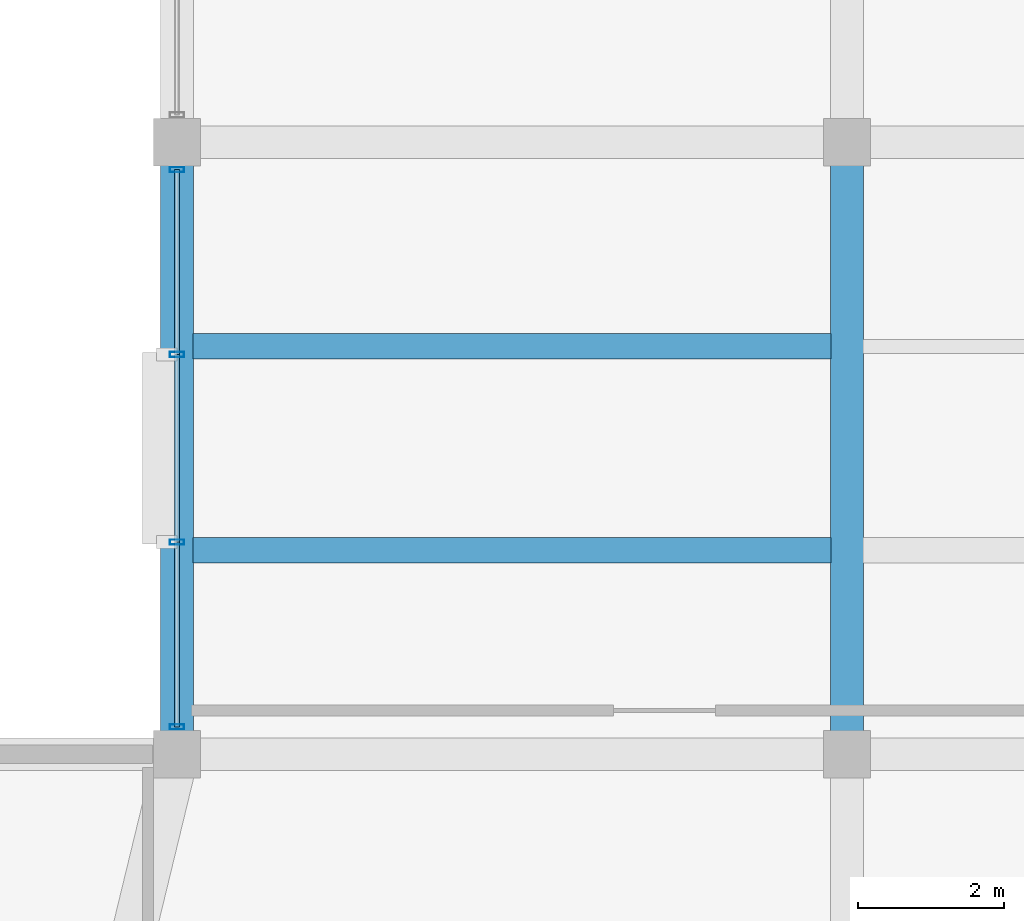
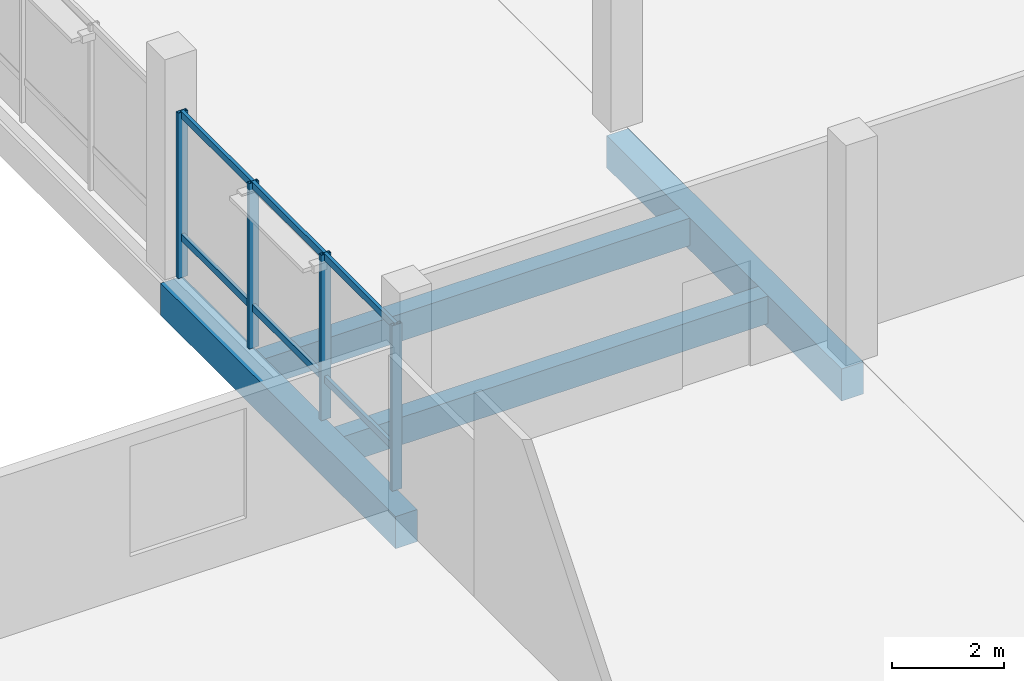
# One storey, part 36 of 71: 10 members, 4 beams, 1 element without a shape of its own.
"""IFC4 building model written with IfcOpenShell, lengths in metres."""

import ifcopenshell
import ifcopenshell.guid

model = None  # the IFC model being written
_history = None  # IfcOwnerHistory: only IFC2X3 demands one
_inside = {}  # id of a spatial element -> (the spatial element, [elements in it])
_under = {}  # id of a project, library or spatial element -> (it, [spatial elements below it])
_declared = {}  # id of a project -> (the project, [libraries it declares])
_typed = {}  # id of a type object -> (the type object, [elements of that type])
_made_of = {}  # id of a material, layer set ... -> (it, [elements and type objects made of it])


def new_model(schema):
    """Start an empty IFC model of exactly this schema.

    Asked for "IFC4X3", IfcOpenShell would pick the latest addendum, in which some entities
    have other attributes; the version numbers below select the first issue.
    IFC2X3 requires an IfcOwnerHistory on every rooted entity: one is made here for all.
    """
    global model, _history
    if schema == "IFC4X3":
        model = ifcopenshell.file(schema_version=(4, 3, 0, 0))
    else:
        model = ifcopenshell.file(schema=schema)
    _inside.clear()
    _under.clear()
    _declared.clear()
    _typed.clear()
    _made_of.clear()
    _history = None
    if model.schema == "IFC2X3":
        org = make("IfcOrganization", Name="unknown")
        user = make(
            "IfcPersonAndOrganization",
            ThePerson=make("IfcPerson", FamilyName="unknown"),
            TheOrganization=org,
        )
        app = make(
            "IfcApplication",
            ApplicationDeveloper=org,
            Version="unknown",
            ApplicationFullName="unknown",
            ApplicationIdentifier="unknown",
        )
        _history = make(
            "IfcOwnerHistory",
            OwningUser=user,
            OwningApplication=app,
            ChangeAction="ADDED",
            CreationDate=0,
        )
    return model


def make(cls, **values):
    """One entity of the class cls with the attributes given. An attribute that is None is left unset."""
    return model.create_entity(
        cls, **{name: value for name, value in values.items() if value is not None}
    )


def rooted(cls, **values):
    """An entity with a GlobalId (a new one), such as an element, a storey or a relation."""
    return make(cls, GlobalId=ifcopenshell.guid.new(), OwnerHistory=_history, **values)


def si_unit(unit_type, name, prefix=None):
    """IfcSIUnit, for example si_unit("LENGTHUNIT", "METRE", prefix="MILLI")."""
    return make("IfcSIUnit", UnitType=unit_type, Prefix=prefix, Name=name)


def assignment(units):
    """IfcUnitAssignment: the units of a project."""
    return None if units is None else make("IfcUnitAssignment", Units=units)


def point(xyz):
    """IfcCartesianPoint."""
    return None if xyz is None else make("IfcCartesianPoint", Coordinates=xyz)


def direction(xyz):
    """IfcDirection."""
    return None if xyz is None else make("IfcDirection", DirectionRatios=xyz)


def frame(location, z_axis=None, x_axis=None):
    """IfcAxis2Placement3D, a coordinate frame: its origin and axes. An axis left out is left unset."""
    return make(
        "IfcAxis2Placement3D",
        Location=point(location),
        Axis=direction(z_axis),
        RefDirection=direction(x_axis),
    )


def frame_2d(location, x_axis=None):
    """IfcAxis2Placement2D, a coordinate frame in the plane: its origin and x axis."""
    return make(
        "IfcAxis2Placement2D", Location=point(location), RefDirection=direction(x_axis)
    )


def origin():
    """The frame at (0, 0, 0) with its axes left unset."""
    return frame((0.0, 0.0, 0.0))


def origin_2d():
    """The frame at (0, 0) in the plane with its x axis left unset."""
    return frame_2d((0.0, 0.0))


def place(relative_to, where):
    """IfcLocalPlacement: puts the frame where relative to a parent placement (None: the world)."""
    return make(
        "IfcLocalPlacement", PlacementRelTo=relative_to, RelativePlacement=where
    )


def context(
    kind, dimensions, precision=None, world=None, true_north=None, identifier=None
):
    """IfcGeometricRepresentationContext, for example the 3D "Model" context."""
    return make(
        "IfcGeometricRepresentationContext",
        ContextIdentifier=identifier,
        ContextType=kind,
        CoordinateSpaceDimension=dimensions,
        Precision=precision,
        WorldCoordinateSystem=world,
        TrueNorth=true_north,
    )


def subcontext(parent, identifier, kind, view, scale=None):
    """IfcGeometricRepresentationSubContext, for example "Body" below "Model"."""
    return make(
        "IfcGeometricRepresentationSubContext",
        ContextIdentifier=identifier,
        ContextType=kind,
        ParentContext=parent,
        TargetScale=scale,
        TargetView=view,
    )


def project(units=None, contexts=None):
    """IfcProject with its units and contexts."""
    return rooted(
        "IfcProject",
        Name="project",
        RepresentationContexts=contexts,
        UnitsInContext=assignment(units),
    )


def spatial(cls, under=None, at=None, **own):
    """A site, building, storey or space (cls), placed at a placement, below another one or the project."""
    s = rooted(cls, ObjectPlacement=at, **own)
    if under is not None:
        _under.setdefault(under.id(), (under, []))[1].append(s)
    return s


def profile(cls, at=None, kind="AREA", **sizes):
    """A parametric profile (cls). Its sizes go by their IFC names, for example OverallWidth=200.0."""
    return make(cls, ProfileType=kind, Position=at, **sizes)


def rectangle(**sizes):
    """IfcRectangleProfileDef."""
    return profile("IfcRectangleProfileDef", **sizes)


def hollow_rectangle(**sizes):
    """IfcRectangleHollowProfileDef."""
    return profile("IfcRectangleHollowProfileDef", **sizes)


def extrude(swept, where, along, depth):
    """IfcExtrudedAreaSolid: the profile swept, set in the frame where, extruded along a direction by depth."""
    return make(
        "IfcExtrudedAreaSolid",
        SweptArea=swept,
        Position=where,
        ExtrudedDirection=direction(along),
        Depth=depth,
    )


def shape(context_of_items, identifier, shape_type, items):
    """IfcShapeRepresentation: the items that make up one representation, for example the "Body"."""
    return make(
        "IfcShapeRepresentation",
        ContextOfItems=context_of_items,
        RepresentationIdentifier=identifier,
        RepresentationType=shape_type,
        Items=items,
    )


def material(Name=None, Category=None):
    """IfcMaterial."""
    return make("IfcMaterial", Name=Name, Category=Category)


def layer(
    of_material, thickness, ventilated=None, Name=None, Category=None, Priority=None
):
    """IfcMaterialLayer: one layer of a wall or slab, of a material (None: an air gap)."""
    return make(
        "IfcMaterialLayer",
        Material=of_material,
        LayerThickness=thickness,
        IsVentilated=ventilated,
        Name=Name,
        Category=Category,
        Priority=Priority,
    )


def layer_set(layers, Name=None):
    """IfcMaterialLayerSet."""
    return make("IfcMaterialLayerSet", MaterialLayers=layers, LayerSetName=Name)


def material_profile(
    of_material, cross_section, Name=None, Category=None, Priority=None
):
    """IfcMaterialProfile: a cross section and its material."""
    return make(
        "IfcMaterialProfile",
        Name=Name,
        Material=of_material,
        Profile=cross_section,
        Priority=Priority,
        Category=Category,
    )


def profile_set(profiles, Name=None, composite=None):
    """IfcMaterialProfileSet."""
    return make(
        "IfcMaterialProfileSet",
        Name=Name,
        MaterialProfiles=profiles,
        CompositeProfile=composite,
    )


def made_of(thing, what):
    """Note that an element or type object is made of a material, layer set ...; save() writes the relation."""
    if what is not None:
        _made_of.setdefault(what.id(), (what, []))[1].append(thing)
    return thing


def type_object(cls, material=None, **own):
    """A type object (cls), such as IfcWallType, which elements share."""
    return made_of(rooted(cls, **own), material)


def element(
    cls,
    number,
    at=None,
    inside=None,
    cuts=None,
    type_object=None,
    material=None,
    context=None,
    identifier="Body",
    shape_type=None,
    held_by="IfcProductDefinitionShape",
    body=None,
    shapes=None,
    **own,
):
    """One element of the class cls, such as IfcWall. Its Tag is "e" and its number.

    at: its placement. inside: the storey or other place that contains it. cuts: it is an
    opening in that element (IfcRelVoidsElement). A single representation is given by context,
    identifier, shape_type and body (its items); several are given by shapes. held_by: the class
    of the entity that holds the representations. save() writes the other relations.
    """
    e = rooted(cls, Tag="e%d" % number, ObjectPlacement=at, **own)
    if body is not None:
        shapes = [shape(context, identifier, shape_type, body)]
    if shapes is not None:
        e.Representation = make(held_by, Representations=shapes)
    if inside is not None:
        _inside.setdefault(inside.id(), (inside, []))[1].append(e)
    if cuts is not None:
        rooted(
            "IfcRelVoidsElement", RelatingBuildingElement=cuts, RelatedOpeningElement=e
        )
    if type_object is not None:
        _typed.setdefault(type_object.id(), (type_object, []))[1].append(e)
    return made_of(e, material)


def aggregate(whole, parts):
    """IfcRelAggregates: a whole, such as a stair, and the parts it consists of."""
    return rooted("IfcRelAggregates", RelatingObject=whole, RelatedObjects=parts)


def save(model, path):
    """Write the relations noted so far, then the file.

    IfcRelAggregates (storeys below a building ...), IfcRelContainedInSpatialStructure (elements
    in a storey), IfcRelDefinesByType, IfcRelAssociatesMaterial and IfcRelDeclares: one each for
    every whole, place, type object, material and project.
    """
    for whole, parts in _under.values():
        aggregate(whole, parts)
    for where, things in _inside.values():
        rooted(
            "IfcRelContainedInSpatialStructure",
            RelatedElements=things,
            RelatingStructure=where,
        )
    for kind, things in _typed.values():
        rooted("IfcRelDefinesByType", RelatedObjects=things, RelatingType=kind)
    for what, things in _made_of.values():
        rooted("IfcRelAssociatesMaterial", RelatedObjects=things, RelatingMaterial=what)
    for by, libraries in _declared.values():
        rooted("IfcRelDeclares", RelatingContext=by, RelatedDefinitions=libraries)
    model.write(path)


model = new_model("IFC4")

# Units and contexts
model_context = context("Model", 3, precision=1e-05, world=origin(), true_north=direction((0.0, 1.0)))
body_context = subcontext(model_context, "Body", "Model", "MODEL_VIEW")
ifc_project = project(units=[si_unit("LENGTHUNIT", "METRE"), si_unit("AREAUNIT", "SQUARE_METRE"), si_unit("VOLUMEUNIT", "CUBIC_METRE"), si_unit("PLANEANGLEUNIT", "RADIAN"), si_unit("MASSUNIT", "GRAM", prefix="KILO")], contexts=[model_context])

# Site, building, storey
site_placement = place(None, origin())
site = spatial("IfcSite", under=ifc_project, at=site_placement, CompositionType="ELEMENT")
building_placement = place(site_placement, origin())
building = spatial("IfcBuilding", under=site, at=building_placement, Name="Meriwether Solvik Hall", CompositionType="ELEMENT")
storey_placement = place(building_placement, frame((0.0, 0.0, 5.10009765625)))
storey = spatial("IfcBuildingStorey", under=building, at=storey_placement, Name="L01", CompositionType="ELEMENT", Elevation=5.10009765625)

# Beams
ifc_material_1 = material(Name="Concrete C40/50", Category="concrete")
ifc_material_profile_1 = material_profile(ifc_material_1, rectangle(XDim=0.35009765625, YDim=0.60009765625, at=origin_2d()), Name="RCB-350X600")
ifc_profile_set_1 = profile_set([ifc_material_profile_1], Name="Concrete C40/50")
beam_type_1 = type_object("IfcBeamType", Name="BM-RC-350X600", PredefinedType="JOIST", material=ifc_profile_set_1)
for number, where, z_axis, x_axis, name in (
    (1, (105.219970703125, 95.60009765625, -0.60009765625), (1.0, 0.0, 0.0), (0.0, 1.0, 0.0), "Secondary Floor Joist 12/K_J1 (L01)"),
    (2, (105.219970703125, 98.39990234375, -0.60009765625), (1.0, 0.0, 0.0), (0.0, 1.0, 0.0), "Secondary Floor Joist 12/K_J2 (L01)"),
):
    element("IfcBeam", number, at=place(storey_placement, frame(where, z_axis=z_axis, x_axis=x_axis)), inside=storey, type_object=beam_type_1, Name=name, PredefinedType="JOIST", context=body_context, shape_type="SweptSolid", body=[
        extrude(rectangle(XDim=0.35009765625, YDim=0.60009765625, at=origin_2d()), origin(), (0.0, 0.0, 1.0), 8.760009765625),
    ])
ifc_material_2 = material(Name="Concrete C40/50", Category="concrete")
ifc_material_profile_2 = material_profile(ifc_material_2, rectangle(XDim=0.449951171875, YDim=0.699951171875, at=origin_2d()), Name="RCB-450X700")
ifc_profile_set_2 = profile_set([ifc_material_profile_2], Name="Concrete C40/50")
beam_type_2 = type_object("IfcBeamType", Name="BM-RC-450X700", PredefinedType="BEAM", material=ifc_profile_set_2)
for number, where, z_axis, x_axis, name in (
    (3, (105.0, 92.800048828125, -0.650146484375), (0.0, 1.0, 0.0), (-1.0, 0.0, 0.0), "Podium Girder 12:K-L (L01)"),
    (4, (114.199951171875, 92.800048828125, -0.650146484375), (0.0, 1.0, 0.0), (-1.0, 0.0, 0.0), "Podium Girder 13:K-L (L01)"),
):
    element("IfcBeam", number, at=place(storey_placement, frame(where, z_axis=z_axis, x_axis=x_axis)), inside=storey, type_object=beam_type_2, Name=name, PredefinedType="BEAM", context=body_context, shape_type="SweptSolid", body=[
        extrude(rectangle(XDim=0.449951171875, YDim=0.699951171875, at=origin_2d()), origin(), (0.0, 0.0, 1.0), 8.39990234375),
    ])

# Curtain wall, members
ifc_material_3 = material(Name="Thermally Broken Anodised Aluminium 6063-T6 and Low-E Glass", Category="aluminium")
ifc_layer = layer(ifc_material_3, 0.179931640625)
ifc_layer_set = layer_set([ifc_layer], Name="Thermally Broken Anodised Aluminium 6063-T6 and Low-E Glass")
curtain_wall_type = type_object("IfcCurtainWallType", Name="CW-SF-POD-B", PredefinedType="USERDEFINED", material=ifc_layer_set)
curtain_wall_placement = place(storey_placement, origin())
curtain_wall = element("IfcCurtainWall", 5, at=curtain_wall_placement, inside=storey, type_object=curtain_wall_type, Name="Curtain Wall wing_Y12_11_46 (L01)", ObjectType="STICK STOREFRONT GLAZING", PredefinedType="USERDEFINED")
ifc_material_4 = material(Name="Anodised Aluminium 6063-T6", Category="aluminium")
ifc_material_profile_3 = material_profile(ifc_material_4, hollow_rectangle(XDim=0.070068359375, YDim=0.199951171875, WallThickness=0.0048828125, at=origin_2d()), Name="CWM-70X200")
ifc_profile_set_3 = profile_set([ifc_material_profile_3], Name="Anodised Aluminium 6063-T6")
member_type_1 = type_object("IfcMemberType", Name="CW-MUL-70X200", PredefinedType="MULLION", material=ifc_profile_set_3)
member_1_placement = place(storey_placement, frame((105.0, 93.175048828125, 0.0), z_axis=(0.0, 0.0, 1.0), x_axis=(0.0, 1.0, 0.0)))
member_1 = element("IfcMember", 6, at=member_1_placement, type_object=member_type_1, Name="Curtain Wall Mullion 1", PredefinedType="MULLION", context=body_context, shape_type="SweptSolid", body=[
    extrude(hollow_rectangle(XDim=0.070068359375, YDim=0.199951171875, WallThickness=0.0048828125, at=origin_2d()), origin(), (0.0, 0.0, 1.0), 3.60986328125),
])
member_2_placement = place(storey_placement, frame((105.0, 95.71240234375, 0.0), z_axis=(0.0, 0.0, 1.0), x_axis=(0.0, 1.0, 0.0)))
member_2 = element("IfcMember", 7, at=member_2_placement, type_object=member_type_1, Name="Curtain Wall Mullion 2", PredefinedType="MULLION", context=body_context, shape_type="SweptSolid", body=[
    extrude(hollow_rectangle(XDim=0.070068359375, YDim=0.199951171875, WallThickness=0.0048828125, at=origin_2d()), origin(), (0.0, 0.0, 1.0), 3.60986328125),
])
member_3_placement = place(storey_placement, frame((105.0, 98.28759765625, 0.0), z_axis=(0.0, 0.0, 1.0), x_axis=(0.0, 1.0, 0.0)))
member_3 = element("IfcMember", 8, at=member_3_placement, type_object=member_type_1, Name="Curtain Wall Mullion 3", PredefinedType="MULLION", context=body_context, shape_type="SweptSolid", body=[
    extrude(hollow_rectangle(XDim=0.070068359375, YDim=0.199951171875, WallThickness=0.0048828125, at=origin_2d()), origin(), (0.0, 0.0, 1.0), 3.60986328125),
])
member_4_placement = place(storey_placement, frame((105.0, 100.824951171875, 0.0), z_axis=(0.0, 0.0, 1.0), x_axis=(0.0, 1.0, 0.0)))
member_4 = element("IfcMember", 9, at=member_4_placement, type_object=member_type_1, Name="Curtain Wall Mullion 4", PredefinedType="MULLION", context=body_context, shape_type="SweptSolid", body=[
    extrude(hollow_rectangle(XDim=0.070068359375, YDim=0.199951171875, WallThickness=0.0048828125, at=origin_2d()), origin(), (0.0, 0.0, 1.0), 3.60986328125),
])
ifc_material_5 = material(Name="Anodised Aluminium 6063-T6", Category="aluminium")
ifc_material_profile_4 = material_profile(ifc_material_5, hollow_rectangle(XDim=0.070068359375, YDim=0.14990234375, WallThickness=0.0048828125, at=origin_2d()), Name="CWT-70X150")
ifc_profile_set_4 = profile_set([ifc_material_profile_4], Name="Anodised Aluminium 6063-T6")
member_type_2 = type_object("IfcMemberType", Name="CW-TRN-70X150", PredefinedType="USERDEFINED", material=ifc_profile_set_4)
member_5_placement = place(storey_placement, frame((105.0, 93.175048828125, 0.8798828125), z_axis=(0.0, 1.0, 0.0), x_axis=(-1.0, 0.0, 0.0)))
member_5 = element("IfcMember", 10, at=member_5_placement, type_object=member_type_2, Name="Curtain Wall Transom 1-sill", ObjectType="TRANSOM", PredefinedType="USERDEFINED", context=body_context, shape_type="SweptSolid", body=[
    extrude(hollow_rectangle(XDim=0.070068359375, YDim=0.14990234375, WallThickness=0.0048828125, at=origin_2d()), origin(), (0.0, 0.0, 1.0), 2.537353515625),
])
member_6_placement = place(storey_placement, frame((105.0, 93.175048828125, 3.5498046875), z_axis=(0.0, 1.0, 0.0), x_axis=(-1.0, 0.0, 0.0)))
member_6 = element("IfcMember", 11, at=member_6_placement, type_object=member_type_2, Name="Curtain Wall Transom 1-head", ObjectType="TRANSOM", PredefinedType="USERDEFINED", context=body_context, shape_type="SweptSolid", body=[
    extrude(hollow_rectangle(XDim=0.070068359375, YDim=0.14990234375, WallThickness=0.0048828125, at=origin_2d()), origin(), (0.0, 0.0, 1.0), 2.537353515625),
])
member_7_placement = place(storey_placement, frame((105.0, 95.71240234375, 0.8798828125), z_axis=(0.0, 1.0, 0.0), x_axis=(-1.0, 0.0, 0.0)))
member_7 = element("IfcMember", 12, at=member_7_placement, type_object=member_type_2, Name="Curtain Wall Transom 2-sill", ObjectType="TRANSOM", PredefinedType="USERDEFINED", context=body_context, shape_type="SweptSolid", body=[
    extrude(hollow_rectangle(XDim=0.070068359375, YDim=0.14990234375, WallThickness=0.0048828125, at=origin_2d()), origin(), (0.0, 0.0, 1.0), 2.5751953125),
])
member_8_placement = place(storey_placement, frame((105.0, 95.71240234375, 3.5498046875), z_axis=(0.0, 1.0, 0.0), x_axis=(-1.0, 0.0, 0.0)))
member_8 = element("IfcMember", 13, at=member_8_placement, type_object=member_type_2, Name="Curtain Wall Transom 2-head", ObjectType="TRANSOM", PredefinedType="USERDEFINED", context=body_context, shape_type="SweptSolid", body=[
    extrude(hollow_rectangle(XDim=0.070068359375, YDim=0.14990234375, WallThickness=0.0048828125, at=origin_2d()), origin(), (0.0, 0.0, 1.0), 2.5751953125),
])
member_9_placement = place(storey_placement, frame((105.0, 98.28759765625, 0.8798828125), z_axis=(0.0, 1.0, 0.0), x_axis=(-1.0, 0.0, 0.0)))
member_9 = element("IfcMember", 14, at=member_9_placement, type_object=member_type_2, Name="Curtain Wall Transom 3-sill", ObjectType="TRANSOM", PredefinedType="USERDEFINED", context=body_context, shape_type="SweptSolid", body=[
    extrude(hollow_rectangle(XDim=0.070068359375, YDim=0.14990234375, WallThickness=0.0048828125, at=origin_2d()), origin(), (0.0, 0.0, 1.0), 2.537353515625),
])
member_10_placement = place(storey_placement, frame((105.0, 98.28759765625, 3.5498046875), z_axis=(0.0, 1.0, 0.0), x_axis=(-1.0, 0.0, 0.0)))
member_10 = element("IfcMember", 15, at=member_10_placement, type_object=member_type_2, Name="Curtain Wall Transom 3-head", ObjectType="TRANSOM", PredefinedType="USERDEFINED", context=body_context, shape_type="SweptSolid", body=[
    extrude(hollow_rectangle(XDim=0.070068359375, YDim=0.14990234375, WallThickness=0.0048828125, at=origin_2d()), origin(), (0.0, 0.0, 1.0), 2.537353515625),
])
aggregate(curtain_wall, [member_1, member_2, member_3, member_4, member_5, member_6, member_7, member_8, member_9, member_10])

save(model, "model.ifc")
